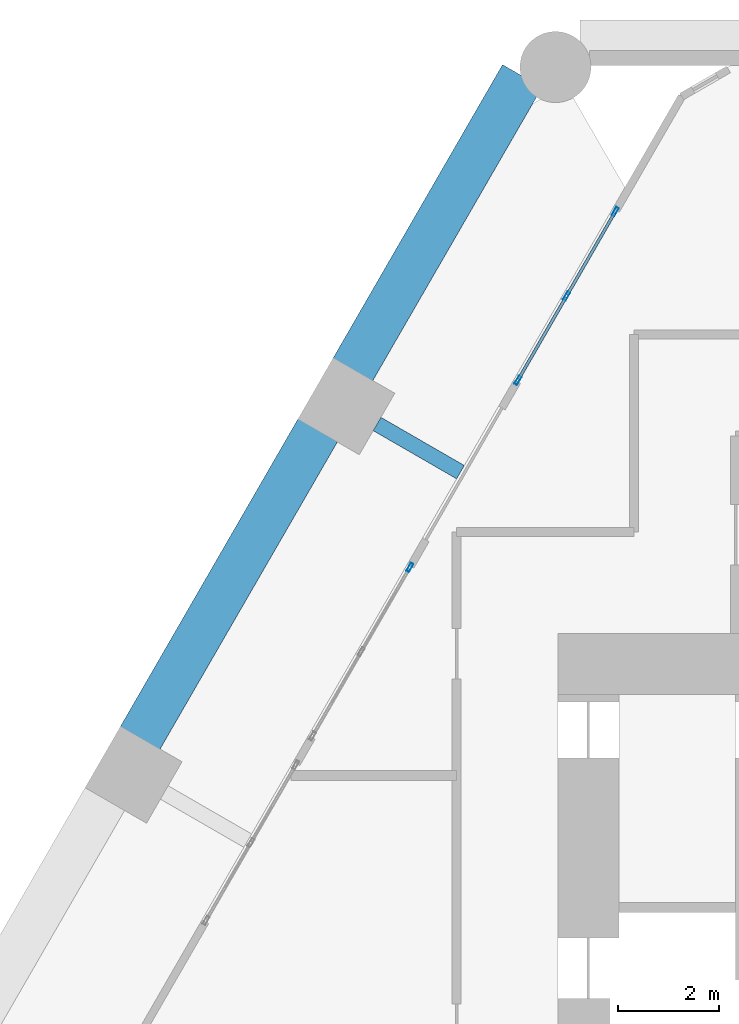
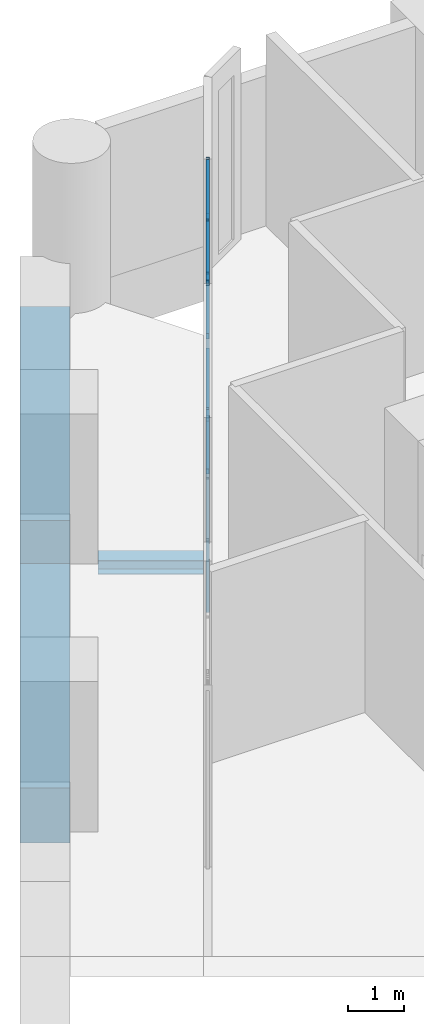
# One storey, part 9 of 18: 10 members, 3 beams, 2 elements without a shape of their own.
"""IFC4 building model written with IfcOpenShell, lengths in metres."""

from ifc_helpers import new_model, si_unit, direction, frame, origin, origin_2d, place, context, subcontext, project, spatial, rectangle, hollow_rectangle, i_section, extrude, material, material_profile, profile_set, type_object, element, aggregate, save


model = new_model("IFC4")

# Units and contexts
model_context = context("Model", 3, precision=1e-05, world=origin(), true_north=direction((0.0, 1.0)))
body_context = subcontext(model_context, "Body", "Model", "MODEL_VIEW")
ifc_project = project(units=[si_unit("LENGTHUNIT", "METRE"), si_unit("AREAUNIT", "SQUARE_METRE"), si_unit("VOLUMEUNIT", "CUBIC_METRE"), si_unit("PLANEANGLEUNIT", "RADIAN"), si_unit("MASSUNIT", "GRAM", prefix="KILO")], contexts=[model_context])

# Site, building, storey
site_placement = place(None, origin())
site = spatial("IfcSite", under=ifc_project, at=site_placement, CompositionType="ELEMENT")
building_placement = place(site_placement, origin())
building = spatial("IfcBuilding", under=site, at=building_placement, Name="Ostrander Bayou Hotel Tower", CompositionType="ELEMENT")
storey_placement = place(building_placement, frame((0.0, 0.0, 19.0)))
storey = spatial("IfcBuildingStorey", under=building, at=storey_placement, Name="L04", CompositionType="ELEMENT", Elevation=19.0)

# Curtain wall, members
ifc_material_1 = material(Name="Aluminium and clear glass", Category="aluminium")
curtain_wall_type = type_object("IfcCurtainWallType", Name="CW-SKY amenity glass wall", PredefinedType="NOTDEFINED", material=ifc_material_1)
curtain_wall_1_placement = place(storey_placement, origin())
curtain_wall_1 = element("IfcCurtainWall", 1, at=curtain_wall_1_placement, inside=storey, type_object=curtain_wall_type, Name="CW-SKY L04 NW 1", PredefinedType="NOTDEFINED")
ifc_material_2 = material(Name="Aluminium", Category="aluminium")
ifc_material_profile_1 = material_profile(ifc_material_2, hollow_rectangle(XDim=0.06005859375, YDim=0.179931640625, WallThickness=0.00390625, at=origin_2d()))
ifc_profile_set_1 = profile_set([ifc_material_profile_1], Name="Aluminium")
member_type_1 = type_object("IfcMemberType", Name="CW-SK mullion 60 x 180 mm", PredefinedType="MULLION", material=ifc_profile_set_1)
member_1_placement = place(storey_placement, frame((-10.87158203125, 18.02001953125, 0.0), z_axis=(0.0, 0.0, 1.0), x_axis=(0.866025463091, -0.499999897278, 0.0)))
member_1 = element("IfcMember", 2, at=member_1_placement, type_object=member_type_1, Name="CW-SKY mullion 1", PredefinedType="MULLION", context=body_context, shape_type="SweptSolid", body=[
    extrude(hollow_rectangle(XDim=0.06005859375, YDim=0.179931640625, WallThickness=0.00390625, at=origin_2d()), origin(), (0.0, 0.0, 1.0), 4.199951171875),
])
member_2_placement = place(storey_placement, frame((-11.83154296875, 16.357177734375, 0.0), z_axis=(0.0, 0.0, 1.0), x_axis=(0.866025463091, -0.499999897278, 0.0)))
member_2 = element("IfcMember", 3, at=member_2_placement, type_object=member_type_1, Name="CW-SKY mullion 2", PredefinedType="MULLION", context=body_context, shape_type="SweptSolid", body=[
    extrude(hollow_rectangle(XDim=0.06005859375, YDim=0.179931640625, WallThickness=0.00390625, at=origin_2d()), origin(), (0.0, 0.0, 1.0), 4.199951171875),
])
member_3_placement = place(storey_placement, frame((-12.79150390625, 14.694580078125, 0.0), z_axis=(0.0, 0.0, 1.0), x_axis=(0.866025463091, -0.499999897278, 0.0)))
member_3 = element("IfcMember", 4, at=member_3_placement, type_object=member_type_1, Name="CW-SKY mullion 3", PredefinedType="MULLION", context=body_context, shape_type="SweptSolid", body=[
    extrude(hollow_rectangle(XDim=0.06005859375, YDim=0.179931640625, WallThickness=0.00390625, at=origin_2d()), origin(), (0.0, 0.0, 1.0), 4.199951171875),
])

# Curtain wall, member
curtain_wall_2_placement = place(storey_placement, origin())
curtain_wall_2 = element("IfcCurtainWall", 5, at=curtain_wall_2_placement, inside=storey, type_object=curtain_wall_type, Name="CW-SKY L04 NW 3", PredefinedType="NOTDEFINED")
member_4_placement = place(storey_placement, frame((-14.92138671875, 11.005126953125, 0.0), z_axis=(0.0, 0.0, 1.0), x_axis=(0.866025463091, -0.499999897278, 0.0)))
member_4 = element("IfcMember", 6, at=member_4_placement, type_object=member_type_1, Name="CW-SKY mullion 1", PredefinedType="MULLION", context=body_context, shape_type="SweptSolid", body=[
    extrude(hollow_rectangle(XDim=0.06005859375, YDim=0.179931640625, WallThickness=0.00390625, at=origin_2d()), origin(), (0.0, 0.0, 1.0), 4.199951171875),
])
aggregate(curtain_wall_2, [member_4])

# Member
ifc_material_3 = material(Name="Aluminium", Category="aluminium")
ifc_material_profile_2 = material_profile(ifc_material_3, hollow_rectangle(XDim=0.06005859375, YDim=0.1201171875, WallThickness=0.00390625, at=origin_2d()))
ifc_profile_set_2 = profile_set([ifc_material_profile_2], Name="Aluminium")
member_type_2 = type_object("IfcMemberType", Name="CW-SK transom 60 x 120 mm", PredefinedType="USERDEFINED", material=ifc_profile_set_2)
member_5_placement = place(storey_placement, frame((-10.886474609375, 17.994140625, 0.030029296875), z_axis=(-0.499964847546, -0.866045698112, 0.0), x_axis=(0.866045698112, -0.499964847546, 0.0)))
member_5 = element("IfcMember", 7, at=member_5_placement, type_object=member_type_2, Name="CW-SKY transom 1.1", ObjectType="TRANSOM", PredefinedType="USERDEFINED", context=body_context, shape_type="SweptSolid", body=[
    extrude(hollow_rectangle(XDim=0.06005859375, YDim=0.1201171875, WallThickness=0.00390625, at=origin_2d()), origin(), (0.0, 0.0, 1.0), 1.860107421875),
])

member_6_placement = place(storey_placement, frame((-10.886474609375, 17.994140625, 3.0), z_axis=(-0.499964847546, -0.866045698112, 0.0), x_axis=(0.866045698112, -0.499964847546, 0.0)))
member_6 = element("IfcMember", 8, at=member_6_placement, type_object=member_type_2, Name="CW-SKY transom 1.2", ObjectType="TRANSOM", PredefinedType="USERDEFINED", context=body_context, shape_type="SweptSolid", body=[
    extrude(hollow_rectangle(XDim=0.06005859375, YDim=0.1201171875, WallThickness=0.00390625, at=origin_2d()), origin(), (0.0, 0.0, 1.0), 1.860107421875),
])

member_7_placement = place(storey_placement, frame((-10.886474609375, 17.994140625, 4.169921875), z_axis=(-0.499964847546, -0.866045698112, 0.0), x_axis=(0.866045698112, -0.499964847546, 0.0)))
member_7 = element("IfcMember", 9, at=member_7_placement, type_object=member_type_2, Name="CW-SKY transom 1.3", ObjectType="TRANSOM", PredefinedType="USERDEFINED", context=body_context, shape_type="SweptSolid", body=[
    extrude(hollow_rectangle(XDim=0.06005859375, YDim=0.1201171875, WallThickness=0.00390625, at=origin_2d()), origin(), (0.0, 0.0, 1.0), 1.860107421875),
])

member_8_placement = place(storey_placement, frame((-11.846435546875, 16.331298828125, 0.030029296875), z_axis=(-0.500063286585, -0.865988862174, 0.0), x_axis=(0.865988862174, -0.500063286585, 0.0)))
member_8 = element("IfcMember", 10, at=member_8_placement, type_object=member_type_2, Name="CW-SKY transom 2.1", ObjectType="TRANSOM", PredefinedType="USERDEFINED", context=body_context, shape_type="SweptSolid", body=[
    extrude(hollow_rectangle(XDim=0.06005859375, YDim=0.1201171875, WallThickness=0.00390625, at=origin_2d()), origin(), (0.0, 0.0, 1.0), 1.860107421875),
])

member_9_placement = place(storey_placement, frame((-11.846435546875, 16.331298828125, 3.0), z_axis=(-0.500063286585, -0.865988862174, 0.0), x_axis=(0.865988862174, -0.500063286585, 0.0)))
member_9 = element("IfcMember", 11, at=member_9_placement, type_object=member_type_2, Name="CW-SKY transom 2.2", ObjectType="TRANSOM", PredefinedType="USERDEFINED", context=body_context, shape_type="SweptSolid", body=[
    extrude(hollow_rectangle(XDim=0.06005859375, YDim=0.1201171875, WallThickness=0.00390625, at=origin_2d()), origin(), (0.0, 0.0, 1.0), 1.860107421875),
])

member_10_placement = place(storey_placement, frame((-11.846435546875, 16.331298828125, 4.169921875), z_axis=(-0.500063286585, -0.865988862174, 0.0), x_axis=(0.865988862174, -0.500063286585, 0.0)))
member_10 = element("IfcMember", 12, at=member_10_placement, type_object=member_type_2, Name="CW-SKY transom 2.3", ObjectType="TRANSOM", PredefinedType="USERDEFINED", context=body_context, shape_type="SweptSolid", body=[
    extrude(hollow_rectangle(XDim=0.06005859375, YDim=0.1201171875, WallThickness=0.00390625, at=origin_2d()), origin(), (0.0, 0.0, 1.0), 1.860107421875),
])

aggregate(curtain_wall_1, [member_1, member_2, member_3, member_5, member_6, member_7, member_8, member_9, member_10])

# Beams
ifc_material_4 = material(Name="Steel ASTM A992", Category="steel")
ifc_material_profile_3 = material_profile(ifc_material_4, i_section(OverallWidth=0.3046875, OverallDepth=0.307861328125, WebThickness=0.010009765625, FlangeThickness=0.015380859375, at=origin_2d()))
ifc_profile_set_3 = profile_set([ifc_material_profile_3], Name="Steel ASTM A992")
beam_type_1 = type_object("IfcBeamType", Name="LB1 loggia bracket W12x65", PredefinedType="BEAM", material=ifc_profile_set_3)
beam_1_placement = place(storey_placement, frame((-15.569091796875, 13.833251953125, -0.453857421875), z_axis=(0.86601224135, -0.500022797313, 0.0), x_axis=(0.500022797313, 0.86601224135, 0.0)))
element("IfcBeam", 13, at=beam_1_placement, inside=storey, type_object=beam_type_1, Name="LB1 L04 NW1", PredefinedType="BEAM", context=body_context, shape_type="SweptSolid", body=[
    extrude(i_section(OverallWidth=0.3046875, OverallDepth=0.307861328125, WebThickness=0.010009765625, FlangeThickness=0.015380859375, at=origin_2d()), origin(), (0.0, 0.0, 1.0), 1.89990234375),
])
ifc_material_5 = material(Name="Concrete f'c 70 MPa", Category="concrete")
ifc_material_profile_4 = material_profile(ifc_material_5, rectangle(XDim=0.89990234375, YDim=1.199951171875, at=origin_2d()))
ifc_profile_set_4 = profile_set([ifc_material_profile_4], Name="Concrete f'c 70 MPa")
beam_type_2 = type_object("IfcBeamType", Name="SP1 spandrel beam 900 x 1200 mm f'c 70 MPa", PredefinedType="SPANDREL", material=ifc_profile_set_4)
beam_2_placement = place(storey_placement, frame((-12.705078125, 20.694091796875, -0.60009765625), z_axis=(-0.500005133765, -0.866022439784, 0.0), x_axis=(0.866022439784, -0.500005133765, 0.0)))
element("IfcBeam", 14, at=beam_2_placement, inside=storey, type_object=beam_type_2, Name="SP1 L04 NW-1", PredefinedType="SPANDREL", context=body_context, shape_type="SweptSolid", body=[
    extrude(rectangle(XDim=0.89990234375, YDim=1.199951171875, at=origin_2d()), origin(), (0.0, 0.0, 1.0), 6.70361328125),
])
beam_3_placement = place(storey_placement, frame((-16.726806640625, 13.72802734375, -0.60009765625), z_axis=(-0.499997206141, -0.866027016814, 0.0), x_axis=(0.866027016814, -0.499997206141, 0.0)))
element("IfcBeam", 15, at=beam_3_placement, inside=storey, type_object=beam_type_2, Name="SP1 L04 NW-2", PredefinedType="SPANDREL", context=body_context, shape_type="SweptSolid", body=[
    extrude(rectangle(XDim=0.89990234375, YDim=1.199951171875, at=origin_2d()), origin(), (0.0, 0.0, 1.0), 7.05078125),
])

save(model, "model.ifc")
